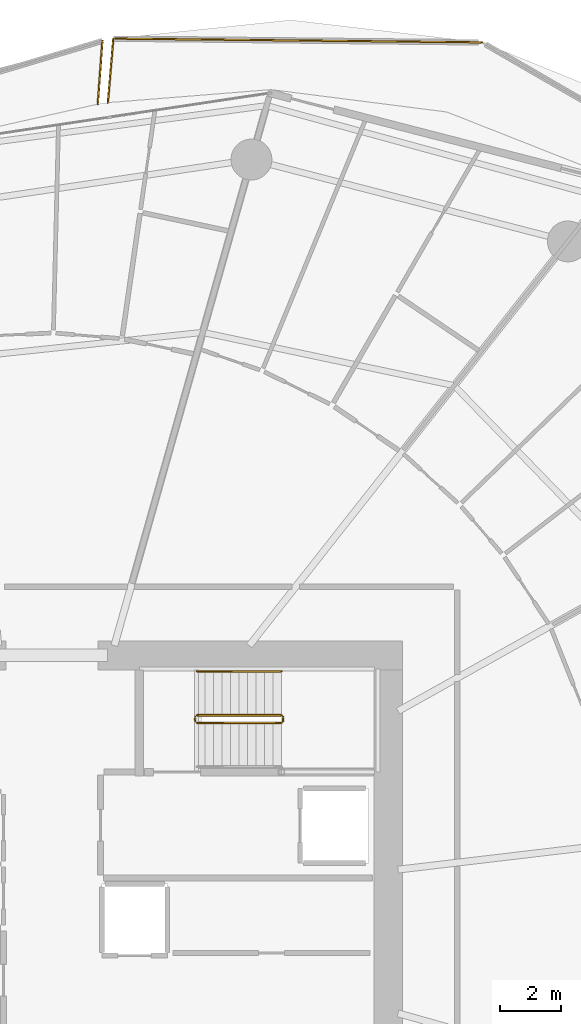
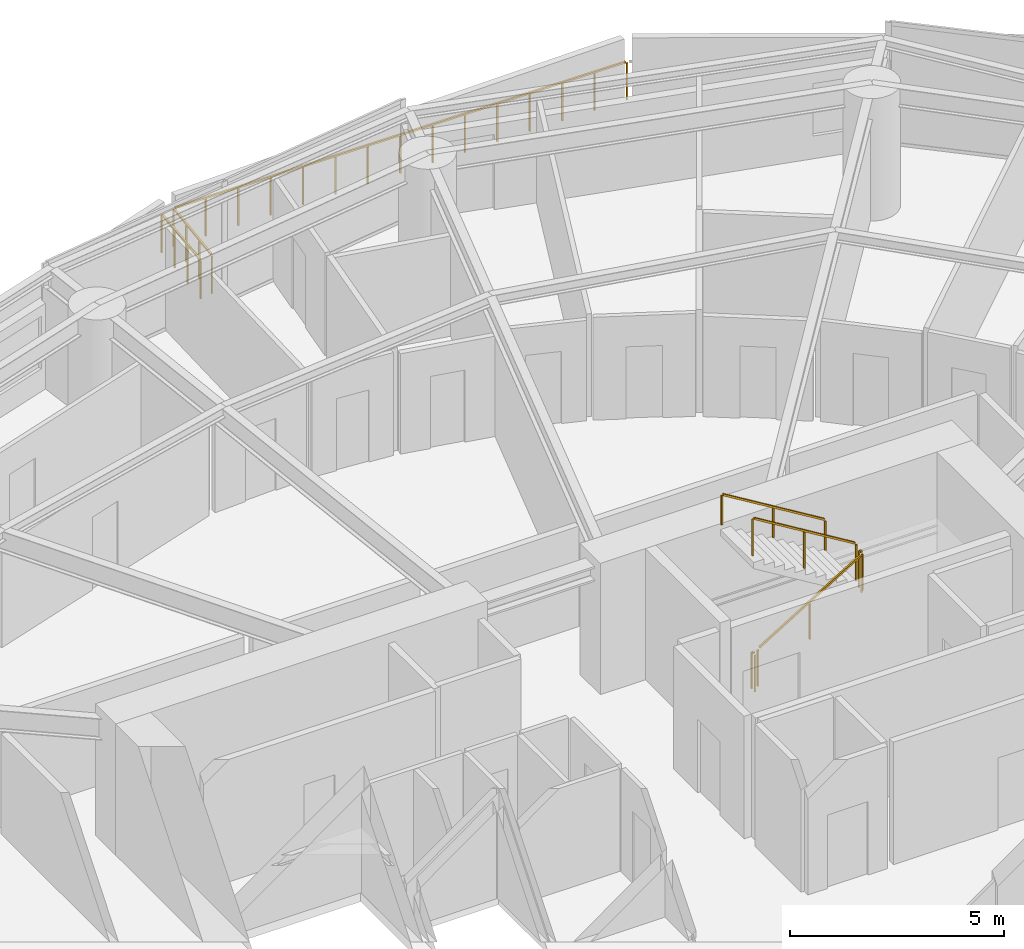
# One storey, part 30 of 31: 8 railings.
"""IFC4 building model written with IfcOpenShell, lengths in metres."""

from ifc_helpers import new_model, si_unit, direction, frame, origin, origin_2d, place, context, subcontext, project, spatial, rectangle, extrude, material, type_object, element, save


model = new_model("IFC4")

# Units and contexts
model_context = context("Model", 3, precision=1e-05, world=origin(), true_north=direction((0.0, 1.0)))
body_context = subcontext(model_context, "Body", "Model", "MODEL_VIEW")
ifc_project = project(units=[si_unit("LENGTHUNIT", "METRE"), si_unit("AREAUNIT", "SQUARE_METRE"), si_unit("VOLUMEUNIT", "CUBIC_METRE"), si_unit("PLANEANGLEUNIT", "RADIAN"), si_unit("MASSUNIT", "GRAM", prefix="KILO")], contexts=[model_context])

# Site, building, storey
site_placement = place(None, origin())
site = spatial("IfcSite", under=ifc_project, at=site_placement, CompositionType="ELEMENT")
building_placement = place(site_placement, origin())
building = spatial("IfcBuilding", under=site, at=building_placement, Name="Kazma Halo Residences", CompositionType="ELEMENT")
storey_placement = place(building_placement, frame((0.0, 0.0, 41.39990234375)))
storey = spatial("IfcBuildingStorey", under=building, at=storey_placement, Name="L09", CompositionType="ELEMENT", Elevation=41.39990234375)

# Railings
ifc_material_1 = material(Name="Aluminium AW-6063 T6 Brushed Cap Rail", Category="aluminium")
railing_type_1 = type_object("IfcRailingType", Name="RLG-BAL-CAP-1120", PredefinedType="BALUSTRADE", material=ifc_material_1)
railing_1_placement = place(storey_placement, frame((62.63232421875, 70.717529296875, 0.0)))
element("IfcRailing", 1, at=railing_1_placement, inside=storey, type_object=railing_type_1, Name="L09 NE wave balcony guard 3", PredefinedType="BALUSTRADE", context=body_context, shape_type="SweptSolid", body=[
    extrude(rectangle(XDim=0.050048828125, YDim=0.050048828125, at=origin_2d()), frame((-0.04248046875, 0.00048828125, 1.09521484375), z_axis=(-0.999947591404, 0.010237892591, 0.0), x_axis=(-0.010237892591, -0.999947591404, 0.0)), (0.0, 0.0, 1.0), 12.1005859375),
    extrude(rectangle(XDim=0.0400390625, YDim=0.0400390625, at=origin_2d()), origin(), (0.0, 0.0, 1.0), 1.05810546875),
    extrude(rectangle(XDim=0.0400390625, YDim=0.0400390625, at=origin_2d()), frame((-0.870361328125, 0.0087890625, 0.0)), (0.0, 0.0, 1.0), 1.05810546875),
    extrude(rectangle(XDim=0.0400390625, YDim=0.0400390625, at=origin_2d()), frame((-1.74072265625, 0.017822265625, 0.0)), (0.0, 0.0, 1.0), 1.05810546875),
    extrude(rectangle(XDim=0.0400390625, YDim=0.0400390625, at=origin_2d()), frame((-2.611083984375, 0.02685546875, 0.0)), (0.0, 0.0, 1.0), 1.05810546875),
    extrude(rectangle(XDim=0.0400390625, YDim=0.0400390625, at=origin_2d()), frame((-3.4814453125, 0.03564453125, 0.0)), (0.0, 0.0, 1.0), 1.05810546875),
    extrude(rectangle(XDim=0.0400390625, YDim=0.0400390625, at=origin_2d()), frame((-4.351806640625, 0.04443359375, 0.0)), (0.0, 0.0, 1.0), 1.05810546875),
    extrude(rectangle(XDim=0.0400390625, YDim=0.0400390625, at=origin_2d()), frame((-5.22216796875, 0.053466796875, 0.0)), (0.0, 0.0, 1.0), 1.05810546875),
    extrude(rectangle(XDim=0.0400390625, YDim=0.0400390625, at=origin_2d()), frame((-6.092529296875, 0.0625, 0.0)), (0.0, 0.0, 1.0), 1.05810546875),
    extrude(rectangle(XDim=0.0400390625, YDim=0.0400390625, at=origin_2d()), frame((-6.962890625, 0.0712890625, 0.0)), (0.0, 0.0, 1.0), 1.05810546875),
    extrude(rectangle(XDim=0.0400390625, YDim=0.0400390625, at=origin_2d()), frame((-7.833251953125, 0.080078125, 0.0)), (0.0, 0.0, 1.0), 1.05810546875),
    extrude(rectangle(XDim=0.0400390625, YDim=0.0400390625, at=origin_2d()), frame((-8.70361328125, 0.089111328125, 0.0)), (0.0, 0.0, 1.0), 1.05810546875),
    extrude(rectangle(XDim=0.0400390625, YDim=0.0400390625, at=origin_2d()), frame((-9.573974609375, 0.09814453125, 0.0)), (0.0, 0.0, 1.0), 1.05810546875),
    extrude(rectangle(XDim=0.0400390625, YDim=0.0400390625, at=origin_2d()), frame((-10.4443359375, 0.10693359375, 0.0)), (0.0, 0.0, 1.0), 1.05810546875),
    extrude(rectangle(XDim=0.0400390625, YDim=0.0400390625, at=origin_2d()), frame((-11.314697265625, 0.11572265625, 0.0)), (0.0, 0.0, 1.0), 1.05810546875),
    extrude(rectangle(XDim=0.0400390625, YDim=0.0400390625, at=origin_2d()), frame((-12.18505859375, 0.124755859375, 0.0)), (0.0, 0.0, 1.0), 1.05810546875),
])
railing_2_placement = place(storey_placement, frame((50.447265625, 70.84228515625, 0.0)))
element("IfcRailing", 2, at=railing_2_placement, inside=storey, type_object=railing_type_1, Name="L09 NE wave balcony guard 4", PredefinedType="BALUSTRADE", context=body_context, shape_type="SweptSolid", body=[
    extrude(rectangle(XDim=0.050048828125, YDim=0.050048828125, at=origin_2d()), frame((-0.003662109375, -0.04248046875, 1.09521484375), z_axis=(-0.084522527602, -0.996421568578, 0.0), x_axis=(0.996421568578, -0.084522527602, 0.0)), (0.0, 0.0, 1.0), 2.03515625),
    extrude(rectangle(XDim=0.0400390625, YDim=0.0400390625, at=origin_2d()), origin(), (0.0, 0.0, 1.0), 1.05810546875),
    extrude(rectangle(XDim=0.0400390625, YDim=0.0400390625, at=origin_2d()), frame((-0.059814453125, -0.7041015625, 0.0)), (0.0, 0.0, 1.0), 1.05810546875),
    extrude(rectangle(XDim=0.0400390625, YDim=0.0400390625, at=origin_2d()), frame((-0.119384765625, -1.408447265625, 0.0)), (0.0, 0.0, 1.0), 1.05810546875),
    extrude(rectangle(XDim=0.0400390625, YDim=0.0400390625, at=origin_2d()), frame((-0.17919921875, -2.112548828125, 0.0)), (0.0, 0.0, 1.0), 1.05810546875),
])
railing_3_placement = place(storey_placement, frame((49.935791015625, 68.679931640625, 0.0)))
element("IfcRailing", 3, at=railing_3_placement, inside=storey, type_object=railing_type_1, Name="L09 NNW wave balcony guard 1", PredefinedType="BALUSTRADE", context=body_context, shape_type="SweptSolid", body=[
    extrude(rectangle(XDim=0.050048828125, YDim=0.050048828125, at=origin_2d()), frame((0.003173828125, 0.04248046875, 1.09521484375), z_axis=(0.072331354439, 0.997380657104, 0.0), x_axis=(-0.997380657104, 0.072331354439, 0.0)), (0.0, 0.0, 1.0), 2.010986328125),
    extrude(rectangle(XDim=0.0400390625, YDim=0.0400390625, at=origin_2d()), origin(), (0.0, 0.0, 1.0), 1.05810546875),
    extrude(rectangle(XDim=0.0400390625, YDim=0.0400390625, at=origin_2d()), frame((0.050537109375, 0.69677734375, 0.0)), (0.0, 0.0, 1.0), 1.05810546875),
    extrude(rectangle(XDim=0.0400390625, YDim=0.0400390625, at=origin_2d()), frame((0.10107421875, 1.393798828125, 0.0)), (0.0, 0.0, 1.0), 1.05810546875),
    extrude(rectangle(XDim=0.0400390625, YDim=0.0400390625, at=origin_2d()), frame((0.151611328125, 2.090576171875, 0.0)), (0.0, 0.0, 1.0), 1.05810546875),
])
ifc_material_2 = material(Name="Painted Steel S355", Category="steel")
railing_type_2 = type_object("IfcRailingType", Name="RLG-STAIR-GRD-1100", PredefinedType="GUARDRAIL", material=ifc_material_2)
railing_4_placement = place(storey_placement, frame((53.199951171875, 48.25, 0.170654296875)))
element("IfcRailing", 4, at=railing_4_placement, inside=storey, type_object=railing_type_2, Name="L09 ST-02 stair guard 1", PredefinedType="GUARDRAIL", context=body_context, shape_type="SweptSolid", body=[
    extrude(rectangle(XDim=0.050048828125, YDim=0.050048828125, at=origin_2d()), frame((0.036376953125, 0.0, 1.09716796875), z_axis=(0.854202870247, 0.0, 0.519939858505), x_axis=(0.0, 1.0, 0.0)), (0.0, 0.0, 1.0), 3.19287109375),
    extrude(rectangle(XDim=0.0400390625, YDim=0.0400390625, at=origin_2d()), origin(), (0.0, 0.0, 1.0), 1.0380859375),
    extrude(rectangle(XDim=0.0400390625, YDim=0.0400390625, at=origin_2d()), frame((1.39990234375, 0.0, 0.85205078125)), (0.0, 0.0, 1.0), 1.0380859375),
    extrude(rectangle(XDim=0.0400390625, YDim=0.0400390625, at=origin_2d()), frame((2.800048828125, 0.0, 1.704345703125)), (0.0, 0.0, 1.0), 1.0380859375),
])
railing_5_placement = place(storey_placement, frame((56.050048828125, 48.300048828125, 1.875)))
element("IfcRailing", 5, at=railing_5_placement, inside=storey, type_object=railing_type_2, Name="L09 ST-02 stair guard 2", PredefinedType="GUARDRAIL", context=body_context, shape_type="SweptSolid", body=[
    extrude(rectangle(XDim=0.050048828125, YDim=0.050048828125, at=origin_2d()), frame((0.0, 0.04248046875, 1.0751953125), z_axis=(0.0, 1.0, 0.0), x_axis=(-1.0, 0.0, 0.0)), (0.0, 0.0, 1.0), 0.06494140625),
    extrude(rectangle(XDim=0.0400390625, YDim=0.0400390625, at=origin_2d()), origin(), (0.0, 0.0, 1.0), 1.0380859375),
    extrude(rectangle(XDim=0.0400390625, YDim=0.0400390625, at=origin_2d()), frame((0.0, 0.14990234375, 0.0)), (0.0, 0.0, 1.0), 1.0380859375),
])
railing_6_placement = place(storey_placement, frame((56.0, 48.5, 2.045654296875)))
element("IfcRailing", 6, at=railing_6_placement, inside=storey, type_object=railing_type_2, Name="L09 ST-02 stair guard 3", PredefinedType="GUARDRAIL", context=body_context, shape_type="SweptSolid", body=[
    extrude(rectangle(XDim=0.050048828125, YDim=0.050048828125, at=origin_2d()), frame((-0.036376953125, 0.0, 1.09716796875), z_axis=(-0.854202870247, 0.0, 0.519939858505), x_axis=(0.0, -1.0, 0.0)), (0.0, 0.0, 1.0), 3.19287109375),
    extrude(rectangle(XDim=0.0400390625, YDim=0.0400390625, at=origin_2d()), origin(), (0.0, 0.0, 1.0), 1.0380859375),
    extrude(rectangle(XDim=0.0400390625, YDim=0.0400390625, at=origin_2d()), frame((-1.39990234375, 0.0, 0.85205078125)), (0.0, 0.0, 1.0), 1.0380859375),
    extrude(rectangle(XDim=0.0400390625, YDim=0.0400390625, at=origin_2d()), frame((-2.800048828125, 0.0, 1.704345703125)), (0.0, 0.0, 1.0), 1.0380859375),
])
railing_7_placement = place(storey_placement, frame((53.14990234375, 48.300048828125, 0.0)))
element("IfcRailing", 7, at=railing_7_placement, inside=storey, type_object=railing_type_2, Name="L09 ST-02 stair guard 4", PredefinedType="GUARDRAIL", context=body_context, shape_type="SweptSolid", body=[
    extrude(rectangle(XDim=0.050048828125, YDim=0.050048828125, at=origin_2d()), frame((0.0, 0.04248046875, 1.0751953125), z_axis=(0.0, 1.0, 0.0), x_axis=(-1.0, 0.0, 0.0)), (0.0, 0.0, 1.0), 0.06494140625),
    extrude(rectangle(XDim=0.0400390625, YDim=0.0400390625, at=origin_2d()), origin(), (0.0, 0.0, 1.0), 1.0380859375),
    extrude(rectangle(XDim=0.0400390625, YDim=0.0400390625, at=origin_2d()), frame((0.0, 0.14990234375, 0.0)), (0.0, 0.0, 1.0), 1.0380859375),
])
ifc_material_3 = material(Name="Brushed Stainless Steel", Category="steel")
railing_type_3 = type_object("IfcRailingType", Name="RLG-STAIR-HND-900", PredefinedType="HANDRAIL", material=ifc_material_3)
railing_8_placement = place(storey_placement, frame((56.0, 49.949951171875, 2.045654296875)))
element("IfcRailing", 8, at=railing_8_placement, inside=storey, type_object=railing_type_3, Name="L09 ST-02 stair handrail 2", PredefinedType="HANDRAIL", context=body_context, shape_type="SweptSolid", body=[
    extrude(rectangle(XDim=0.050048828125, YDim=0.050048828125, at=origin_2d()), frame((-0.036376953125, 0.0, 0.89697265625), z_axis=(-0.854202870247, 0.0, 0.519939858505), x_axis=(0.0, -1.0, 0.0)), (0.0, 0.0, 1.0), 3.19287109375),
    extrude(rectangle(XDim=0.0400390625, YDim=0.0400390625, at=origin_2d()), origin(), (0.0, 0.0, 1.0), 0.837890625),
    extrude(rectangle(XDim=0.0400390625, YDim=0.0400390625, at=origin_2d()), frame((-1.39990234375, 0.0, 0.85205078125)), (0.0, 0.0, 1.0), 0.837890625),
    extrude(rectangle(XDim=0.0400390625, YDim=0.0400390625, at=origin_2d()), frame((-2.800048828125, 0.0, 1.704345703125)), (0.0, 0.0, 1.0), 0.837890625),
])

save(model, "model.ifc")
